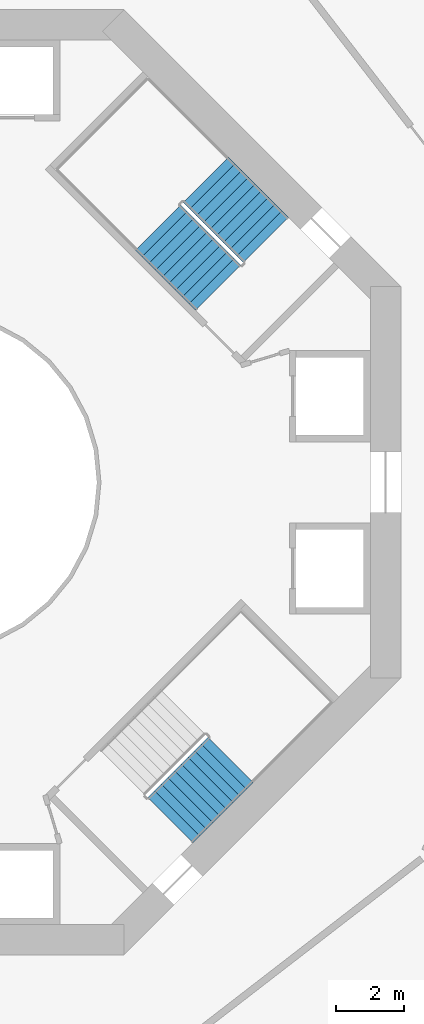
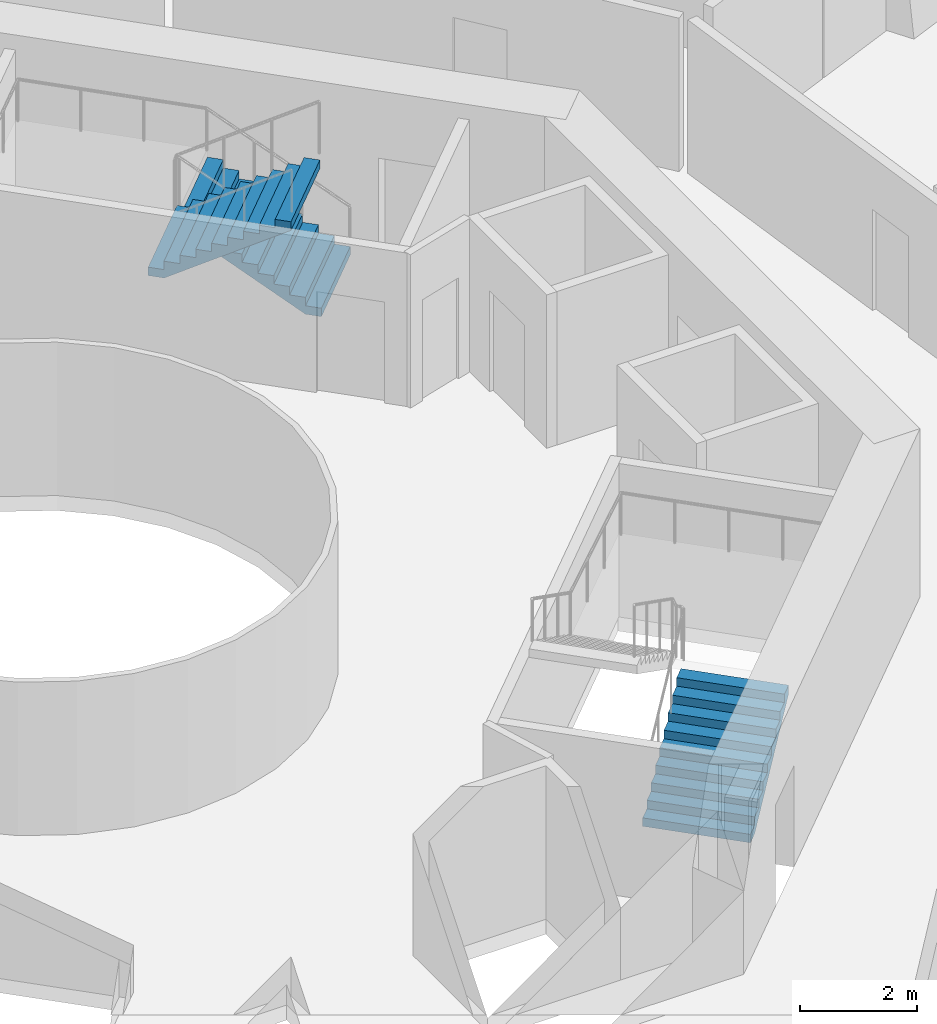
# One storey, part 26 of 27: 3 stair flights, 2 elements without a shape of their own.
"""IFC4 building model written with IfcOpenShell, lengths in metres."""

from ifc_helpers import new_model, si_unit, direction, frame, origin, place, context, subcontext, project, spatial, triangles, material, type_object, element, aggregate, save


model = new_model("IFC4")

# Units and contexts
model_context = context("Model", 3, precision=1e-05, world=origin(), true_north=direction((0.0, 1.0)))
body_context = subcontext(model_context, "Body", "Model", "MODEL_VIEW")
ifc_project = project(units=[si_unit("LENGTHUNIT", "METRE"), si_unit("AREAUNIT", "SQUARE_METRE"), si_unit("VOLUMEUNIT", "CUBIC_METRE"), si_unit("PLANEANGLEUNIT", "RADIAN"), si_unit("MASSUNIT", "GRAM", prefix="KILO")], contexts=[model_context])

# Site, building, storey
site_placement = place(None, origin())
site = spatial("IfcSite", under=ifc_project, at=site_placement, CompositionType="ELEMENT")
building_placement = place(site_placement, origin())
building = spatial("IfcBuilding", under=site, at=building_placement, Name="Verdalira Terraces Hotel", CompositionType="ELEMENT")
storey_placement = place(building_placement, frame((0.0, 0.0, 64.5)))
storey = spatial("IfcBuildingStorey", under=building, at=storey_placement, Name="L14", CompositionType="ELEMENT", Elevation=64.5)

# Stair, stair flights
ifc_material_1 = material(Name="Concrete C40", Category="concrete")
stair_type = type_object("IfcStairType", Name="Core stair 20 risers 1900 mm wide", PredefinedType="HALF_TURN_STAIR", material=ifc_material_1)
stair_1_placement = place(storey_placement, origin())
stair_1 = element("IfcStair", 1, at=stair_1_placement, inside=storey, type_object=stair_type, Name="L14 Exit stair ST1", PredefinedType="HALF_TURN_STAIR")
ifc_material_2 = material(Name="Concrete C40", Category="concrete")
stair_flight_type = type_object("IfcStairFlightType", Name="Core stair flight 20 risers 1900 mm wide", PredefinedType="STRAIGHT", material=ifc_material_2)
stair_flight_1_placement = place(storey_placement, frame((10.005615, 7.177246, 0.0), z_axis=(0.0, 0.0, 1.0), x_axis=(-0.707106781, 0.707106781, 0.0)))
stair_flight_1 = element("IfcStairFlight", 2, at=stair_flight_1_placement, type_object=stair_flight_type, Name="ST1 flight 1", NumberOfRisers=10, NumberOfTreads=9, PredefinedType="STRAIGHT", RiserHeight=0.175, TreadLength=0.28, context=body_context, shape_type="Tessellation", body=[
    triangles([(0.0, 0.949951, 0.0), (0.282715, 0.949951, 0.0), (2.52002, 0.949951, 1.398193), (0.0, -0.949951, 0.0), (0.282715, -0.949951, 0.0), (2.52002, -0.949951, 1.398193), (2.52002, 0.949951, 1.574951), (2.23999, 0.949951, 1.574951), (2.52002, -0.949951, 1.574951), (2.23999, -0.949951, 1.574951), (2.23999, 0.949951, 1.399902), (2.23999, -0.949951, 1.399902), (1.959961, 0.949951, 1.399902), (1.959961, -0.949951, 1.399902), (1.959961, 0.949951, 1.225098), (1.959961, -0.949951, 1.225098), (1.679932, 0.949951, 1.225098), (1.679932, 0.949951, 1.050049), (1.679932, -0.949951, 1.225098), (1.679932, -0.949951, 1.050049), (1.399902, 0.949951, 1.050049), (1.399902, 0.949951, 0.875), (1.399902, -0.949951, 1.050049), (1.399902, -0.949951, 0.875), (1.120117, 0.949951, 0.875), (1.120117, 0.949951, 0.699951), (1.120117, -0.949951, 0.875), (1.120117, -0.949951, 0.699951), (0.840088, 0.949951, 0.699951), (0.840088, 0.949951, 0.524902), (0.840088, -0.949951, 0.699951), (0.840088, -0.949951, 0.524902), (0.560059, 0.949951, 0.524902), (0.560059, 0.949951, 0.350098), (0.560059, -0.949951, 0.524902), (0.560059, -0.949951, 0.350098), (0.280029, 0.949951, 0.350098), (0.280029, 0.949951, 0.175049), (0.280029, -0.949951, 0.350098), (0.280029, -0.949951, 0.175049), (0.0, 0.949951, 0.175049), (0.0, -0.949951, 0.175049), (0.0, -0.890579, 0.0), (0.0, -0.890579, 0.175049), (0.0, -0.831207, 0.0), (0.0, -0.831207, 0.175049), (0.0, -0.771835, 0.0), (0.0, -0.771835, 0.175049), (0.0, -0.712463, 0.0), (0.0, -0.712463, 0.175049), (0.0, -0.653091, 0.0), (0.0, -0.653091, 0.175049), (0.0, -0.593719, 0.0), (0.0, -0.593719, 0.175049), (0.0, -0.534348, 0.0), (0.0, -0.534348, 0.175049), (0.0, -0.474976, 0.0), (0.0, -0.474976, 0.175049), (0.0, -0.415604, 0.0), (0.0, -0.415604, 0.175049), (0.0, -0.356232, 0.0), (0.0, -0.356232, 0.175049), (0.0, -0.29686, 0.0), (0.0, -0.29686, 0.175049), (0.0, -0.237488, 0.0), (0.0, -0.237488, 0.175049), (0.0, -0.178116, 0.0), (0.0, -0.178116, 0.175049), (0.0, -0.118744, 0.0), (0.0, -0.118744, 0.175049), (0.0, -0.059372, 0.0), (0.0, -0.059372, 0.175049), (0.0, 0.0, 0.0), (0.0, 0.0, 0.175049), (0.0, 0.059372, 0.0), (0.0, 0.059372, 0.175049), (0.0, 0.118744, 0.0), (0.0, 0.118744, 0.175049), (0.0, 0.178116, 0.0), (0.0, 0.178116, 0.175049), (0.0, 0.237488, 0.0), (0.0, 0.237488, 0.175049), (0.0, 0.29686, 0.0), (0.0, 0.29686, 0.175049), (0.0, 0.356232, 0.0), (0.0, 0.356232, 0.175049), (0.0, 0.415604, 0.0), (0.0, 0.415604, 0.175049), (0.0, 0.474976, 0.0), (0.0, 0.474976, 0.175049), (0.0, 0.534348, 0.0), (0.0, 0.534348, 0.175049), (0.0, 0.593719, 0.0), (0.0, 0.593719, 0.175049), (0.0, 0.653091, 0.0), (0.0, 0.653091, 0.175049), (0.0, 0.712463, 0.0), (0.0, 0.712463, 0.175049), (0.0, 0.771835, 0.0), (0.0, 0.771835, 0.175049), (0.0, 0.831207, 0.0), (0.0, 0.831207, 0.175049), (0.0, 0.890579, 0.0), (0.0, 0.890579, 0.175049), (2.52002, -0.890579, 1.574951), (2.52002, -0.831207, 1.574951), (2.52002, -0.771835, 1.574951), (2.52002, -0.712463, 1.574951), (2.52002, -0.653091, 1.574951), (2.52002, -0.593719, 1.574951), (2.52002, -0.534348, 1.574951), (2.52002, -0.474976, 1.574951), (2.52002, -0.415604, 1.574951), (2.52002, -0.356232, 1.574951), (2.52002, -0.29686, 1.574951), (2.52002, -0.237488, 1.574951), (2.52002, -0.178116, 1.574951), (2.52002, -0.118744, 1.574951), (2.52002, -0.059372, 1.574951), (2.52002, 0.0, 1.574951), (2.52002, 0.059372, 1.574951), (2.52002, 0.118744, 1.574951), (2.52002, 0.178116, 1.574951), (2.52002, 0.237488, 1.574951), (2.52002, 0.29686, 1.574951), (2.52002, 0.356232, 1.574951), (2.52002, 0.415604, 1.574951), (2.52002, 0.474976, 1.574951), (2.52002, 0.534348, 1.574951), (2.52002, 0.593719, 1.574951), (2.52002, 0.653091, 1.574951), (2.52002, 0.712463, 1.574951), (2.52002, 0.771835, 1.574951), (2.52002, 0.831207, 1.574951), (2.52002, 0.890579, 1.574951), (2.52002, -0.890579, 1.398193), (2.52002, -0.831207, 1.398193), (2.52002, -0.771835, 1.398193), (2.52002, -0.712463, 1.398193), (2.52002, -0.653091, 1.398193), (2.52002, -0.593719, 1.398193), (2.52002, -0.534348, 1.398193), (2.52002, -0.474976, 1.398193), (2.52002, -0.415604, 1.398193), (2.52002, -0.356232, 1.398193), (2.52002, -0.29686, 1.398193), (2.52002, -0.237488, 1.398193), (2.52002, -0.178116, 1.398193), (2.52002, -0.118744, 1.398193), (2.52002, -0.059372, 1.398193), (2.52002, 0.0, 1.398193), (2.52002, 0.059372, 1.398193), (2.52002, 0.118744, 1.398193), (2.52002, 0.178116, 1.398193), (2.52002, 0.237488, 1.398193), (2.52002, 0.29686, 1.398193), (2.52002, 0.356232, 1.398193), (2.52002, 0.415604, 1.398193), (2.52002, 0.474976, 1.398193), (2.52002, 0.534348, 1.398193), (2.52002, 0.593719, 1.398193), (2.52002, 0.653091, 1.398193), (2.52002, 0.712463, 1.398193), (2.52002, 0.771835, 1.398193), (2.52002, 0.831207, 1.398193), (2.52002, 0.890579, 1.398193)], [[1, 3, 2], [4, 5, 6], [3, 8, 7], [6, 9, 10], [3, 11, 8], [6, 10, 12], [3, 13, 11], [6, 12, 14], [3, 15, 13], [6, 14, 16], [15, 18, 17], [16, 19, 20], [3, 18, 15], [6, 16, 20], [18, 22, 21], [20, 23, 24], [3, 22, 18], [6, 20, 24], [22, 26, 25], [24, 27, 28], [3, 26, 22], [6, 24, 28], [26, 30, 29], [28, 31, 32], [3, 30, 26], [6, 28, 32], [1, 30, 3], [4, 6, 32], [30, 34, 33], [32, 35, 36], [34, 38, 37], [36, 39, 40], [30, 38, 34], [32, 36, 40], [1, 38, 30], [4, 32, 40], [38, 1, 41], [40, 42, 4], [4, 44, 43], [4, 42, 44], [43, 46, 45], [43, 44, 46], [45, 48, 47], [45, 46, 48], [47, 50, 49], [47, 48, 50], [49, 52, 51], [49, 50, 52], [51, 54, 53], [51, 52, 54], [53, 56, 55], [53, 54, 56], [55, 58, 57], [55, 56, 58], [57, 60, 59], [57, 58, 60], [59, 62, 61], [59, 60, 62], [61, 64, 63], [61, 62, 64], [63, 66, 65], [63, 64, 66], [65, 68, 67], [65, 66, 68], [67, 70, 69], [67, 68, 70], [69, 72, 71], [69, 70, 72], [71, 74, 73], [71, 72, 74], [73, 76, 75], [73, 74, 76], [75, 78, 77], [75, 76, 78], [77, 80, 79], [77, 78, 80], [79, 82, 81], [79, 80, 82], [81, 84, 83], [81, 82, 84], [83, 86, 85], [83, 84, 86], [85, 88, 87], [85, 86, 88], [87, 90, 89], [87, 88, 90], [89, 92, 91], [89, 90, 92], [91, 94, 93], [91, 92, 94], [93, 96, 95], [93, 94, 96], [95, 98, 97], [95, 96, 98], [97, 100, 99], [97, 98, 100], [99, 102, 101], [99, 100, 102], [101, 104, 103], [101, 102, 104], [103, 41, 1], [103, 104, 41], [42, 40, 44], [44, 40, 46], [46, 40, 48], [48, 40, 50], [50, 40, 52], [52, 40, 54], [54, 40, 56], [56, 40, 58], [58, 40, 60], [60, 40, 62], [62, 40, 64], [64, 40, 66], [66, 40, 68], [68, 40, 70], [70, 40, 72], [72, 40, 74], [74, 40, 76], [76, 40, 78], [78, 40, 80], [80, 40, 82], [82, 40, 84], [84, 40, 86], [86, 40, 88], [88, 40, 90], [90, 40, 92], [92, 40, 94], [94, 40, 96], [96, 40, 98], [98, 40, 100], [100, 40, 102], [102, 40, 104], [104, 40, 41], [41, 40, 38], [40, 37, 38], [40, 39, 37], [39, 34, 37], [39, 36, 34], [36, 33, 34], [36, 35, 33], [35, 30, 33], [35, 32, 30], [32, 29, 30], [32, 31, 29], [31, 26, 29], [31, 28, 26], [28, 25, 26], [28, 27, 25], [27, 22, 25], [27, 24, 22], [24, 21, 22], [24, 23, 21], [23, 18, 21], [23, 20, 18], [20, 17, 18], [20, 19, 17], [19, 15, 17], [19, 16, 15], [16, 13, 15], [16, 14, 13], [14, 11, 13], [14, 12, 11], [12, 8, 11], [12, 10, 8], [9, 105, 10], [105, 106, 10], [106, 107, 10], [107, 108, 10], [108, 109, 10], [109, 110, 10], [110, 111, 10], [111, 112, 10], [112, 113, 10], [113, 114, 10], [114, 115, 10], [115, 116, 10], [116, 117, 10], [117, 118, 10], [118, 119, 10], [119, 120, 10], [120, 121, 10], [121, 122, 10], [122, 123, 10], [123, 124, 10], [124, 125, 10], [125, 126, 10], [126, 127, 10], [127, 128, 10], [128, 129, 10], [129, 130, 10], [130, 131, 10], [131, 132, 10], [132, 133, 10], [133, 134, 10], [134, 135, 10], [135, 7, 10], [7, 8, 10], [9, 136, 105], [9, 6, 136], [105, 137, 106], [105, 136, 137], [106, 138, 107], [106, 137, 138], [107, 139, 108], [107, 138, 139], [108, 140, 109], [108, 139, 140], [109, 141, 110], [109, 140, 141], [110, 142, 111], [110, 141, 142], [111, 143, 112], [111, 142, 143], [112, 144, 113], [112, 143, 144], [113, 145, 114], [113, 144, 145], [114, 146, 115], [114, 145, 146], [115, 147, 116], [115, 146, 147], [116, 148, 117], [116, 147, 148], [117, 149, 118], [117, 148, 149], [118, 150, 119], [118, 149, 150], [119, 151, 120], [119, 150, 151], [120, 152, 121], [120, 151, 152], [121, 153, 122], [121, 152, 153], [122, 154, 123], [122, 153, 154], [123, 155, 124], [123, 154, 155], [124, 156, 125], [124, 155, 156], [125, 157, 126], [125, 156, 157], [126, 158, 127], [126, 157, 158], [127, 159, 128], [127, 158, 159], [128, 160, 129], [128, 159, 160], [129, 161, 130], [129, 160, 161], [130, 162, 131], [130, 161, 162], [131, 163, 132], [131, 162, 163], [132, 164, 133], [132, 163, 164], [133, 165, 134], [133, 164, 165], [134, 166, 135], [134, 165, 166], [135, 3, 7], [135, 166, 3], [6, 5, 136], [136, 5, 137], [137, 5, 138], [138, 5, 139], [139, 5, 140], [140, 5, 141], [141, 5, 142], [142, 5, 143], [143, 5, 144], [144, 5, 145], [145, 5, 146], [146, 5, 147], [147, 5, 148], [148, 5, 149], [149, 5, 150], [150, 5, 151], [151, 5, 152], [152, 5, 153], [153, 5, 154], [154, 5, 155], [155, 5, 156], [156, 5, 157], [157, 5, 158], [158, 5, 159], [159, 5, 160], [160, 5, 161], [161, 5, 162], [162, 5, 163], [163, 5, 164], [164, 5, 165], [165, 5, 166], [166, 5, 3], [3, 5, 2], [4, 43, 5], [43, 45, 5], [45, 47, 5], [47, 49, 5], [49, 51, 5], [51, 53, 5], [53, 55, 5], [55, 57, 5], [57, 59, 5], [59, 61, 5], [61, 63, 5], [63, 65, 5], [65, 67, 5], [67, 69, 5], [69, 71, 5], [71, 73, 5], [73, 75, 5], [75, 77, 5], [77, 79, 5], [79, 81, 5], [81, 83, 5], [83, 85, 5], [85, 87, 5], [87, 89, 5], [89, 91, 5], [91, 93, 5], [93, 95, 5], [95, 97, 5], [97, 99, 5], [99, 101, 5], [101, 103, 5], [103, 1, 5], [1, 2, 5]], closed=True),
])
stair_flight_2_placement = place(storey_placement, frame((6.809326, 7.544922, 1.75), z_axis=(0.0, 0.0, 1.0), x_axis=(0.707106781, -0.707106781, 0.0)))
stair_flight_2 = element("IfcStairFlight", 3, at=stair_flight_2_placement, type_object=stair_flight_type, Name="ST1 flight 2", NumberOfRisers=10, NumberOfTreads=9, PredefinedType="STRAIGHT", RiserHeight=0.175, TreadLength=0.28, context=body_context, shape_type="Tessellation", body=[
    triangles([(0.0, 0.949951, 0.0), (0.282715, 0.949951, 0.0), (2.52002, 0.949951, 1.398193), (0.0, -0.949951, 0.0), (0.282715, -0.949951, 0.0), (2.52002, -0.949951, 1.398193), (2.52002, 0.949951, 1.574951), (2.23999, 0.949951, 1.574951), (2.52002, -0.949951, 1.574951), (2.23999, -0.949951, 1.574951), (2.23999, 0.949951, 1.399902), (2.23999, -0.949951, 1.399902), (1.959961, 0.949951, 1.399902), (1.959961, -0.949951, 1.399902), (1.959961, 0.949951, 1.225098), (1.959961, -0.949951, 1.225098), (1.679932, 0.949951, 1.225098), (1.679932, 0.949951, 1.050049), (1.679932, -0.949951, 1.225098), (1.679932, -0.949951, 1.050049), (1.399902, 0.949951, 1.050049), (1.399902, 0.949951, 0.875), (1.399902, -0.949951, 1.050049), (1.399902, -0.949951, 0.875), (1.120117, 0.949951, 0.875), (1.120117, 0.949951, 0.699951), (1.120117, -0.949951, 0.875), (1.120117, -0.949951, 0.699951), (0.840088, 0.949951, 0.699951), (0.840088, 0.949951, 0.524902), (0.840088, -0.949951, 0.699951), (0.840088, -0.949951, 0.524902), (0.560059, 0.949951, 0.524902), (0.560059, 0.949951, 0.350098), (0.560059, -0.949951, 0.524902), (0.560059, -0.949951, 0.350098), (0.280029, 0.949951, 0.350098), (0.280029, 0.949951, 0.175049), (0.280029, -0.949951, 0.350098), (0.280029, -0.949951, 0.175049), (0.0, 0.949951, 0.175049), (0.0, -0.949951, 0.175049), (0.0, -0.890579, 0.0), (0.0, -0.890579, 0.175049), (0.0, -0.831207, 0.0), (0.0, -0.831207, 0.175049), (0.0, -0.771835, 0.0), (0.0, -0.771835, 0.175049), (0.0, -0.712463, 0.0), (0.0, -0.712463, 0.175049), (0.0, -0.653091, 0.0), (0.0, -0.653091, 0.175049), (0.0, -0.593719, 0.0), (0.0, -0.593719, 0.175049), (0.0, -0.534348, 0.0), (0.0, -0.534348, 0.175049), (0.0, -0.474976, 0.0), (0.0, -0.474976, 0.175049), (0.0, -0.415604, 0.0), (0.0, -0.415604, 0.175049), (0.0, -0.356232, 0.0), (0.0, -0.356232, 0.175049), (0.0, -0.29686, 0.0), (0.0, -0.29686, 0.175049), (0.0, -0.237488, 0.0), (0.0, -0.237488, 0.175049), (0.0, -0.178116, 0.0), (0.0, -0.178116, 0.175049), (0.0, -0.118744, 0.0), (0.0, -0.118744, 0.175049), (0.0, -0.059372, 0.0), (0.0, -0.059372, 0.175049), (0.0, 0.0, 0.0), (0.0, 0.0, 0.175049), (0.0, 0.059372, 0.0), (0.0, 0.059372, 0.175049), (0.0, 0.118744, 0.0), (0.0, 0.118744, 0.175049), (0.0, 0.178116, 0.0), (0.0, 0.178116, 0.175049), (0.0, 0.237488, 0.0), (0.0, 0.237488, 0.175049), (0.0, 0.29686, 0.0), (0.0, 0.29686, 0.175049), (0.0, 0.356232, 0.0), (0.0, 0.356232, 0.175049), (0.0, 0.415604, 0.0), (0.0, 0.415604, 0.175049), (0.0, 0.474976, 0.0), (0.0, 0.474976, 0.175049), (0.0, 0.534348, 0.0), (0.0, 0.534348, 0.175049), (0.0, 0.593719, 0.0), (0.0, 0.593719, 0.175049), (0.0, 0.653091, 0.0), (0.0, 0.653091, 0.175049), (0.0, 0.712463, 0.0), (0.0, 0.712463, 0.175049), (0.0, 0.771835, 0.0), (0.0, 0.771835, 0.175049), (0.0, 0.831207, 0.0), (0.0, 0.831207, 0.175049), (0.0, 0.890579, 0.0), (0.0, 0.890579, 0.175049), (2.52002, -0.890579, 1.574951), (2.52002, -0.831207, 1.574951), (2.52002, -0.771835, 1.574951), (2.52002, -0.712463, 1.574951), (2.52002, -0.653091, 1.574951), (2.52002, -0.593719, 1.574951), (2.52002, -0.534348, 1.574951), (2.52002, -0.474976, 1.574951), (2.52002, -0.415604, 1.574951), (2.52002, -0.356232, 1.574951), (2.52002, -0.29686, 1.574951), (2.52002, -0.237488, 1.574951), (2.52002, -0.178116, 1.574951), (2.52002, -0.118744, 1.574951), (2.52002, -0.059372, 1.574951), (2.52002, 0.0, 1.574951), (2.52002, 0.059372, 1.574951), (2.52002, 0.118744, 1.574951), (2.52002, 0.178116, 1.574951), (2.52002, 0.237488, 1.574951), (2.52002, 0.29686, 1.574951), (2.52002, 0.356232, 1.574951), (2.52002, 0.415604, 1.574951), (2.52002, 0.474976, 1.574951), (2.52002, 0.534348, 1.574951), (2.52002, 0.593719, 1.574951), (2.52002, 0.653091, 1.574951), (2.52002, 0.712463, 1.574951), (2.52002, 0.771835, 1.574951), (2.52002, 0.831207, 1.574951), (2.52002, 0.890579, 1.574951), (2.52002, -0.890579, 1.398193), (2.52002, -0.831207, 1.398193), (2.52002, -0.771835, 1.398193), (2.52002, -0.712463, 1.398193), (2.52002, -0.653091, 1.398193), (2.52002, -0.593719, 1.398193), (2.52002, -0.534348, 1.398193), (2.52002, -0.474976, 1.398193), (2.52002, -0.415604, 1.398193), (2.52002, -0.356232, 1.398193), (2.52002, -0.29686, 1.398193), (2.52002, -0.237488, 1.398193), (2.52002, -0.178116, 1.398193), (2.52002, -0.118744, 1.398193), (2.52002, -0.059372, 1.398193), (2.52002, 0.0, 1.398193), (2.52002, 0.059372, 1.398193), (2.52002, 0.118744, 1.398193), (2.52002, 0.178116, 1.398193), (2.52002, 0.237488, 1.398193), (2.52002, 0.29686, 1.398193), (2.52002, 0.356232, 1.398193), (2.52002, 0.415604, 1.398193), (2.52002, 0.474976, 1.398193), (2.52002, 0.534348, 1.398193), (2.52002, 0.593719, 1.398193), (2.52002, 0.653091, 1.398193), (2.52002, 0.712463, 1.398193), (2.52002, 0.771835, 1.398193), (2.52002, 0.831207, 1.398193), (2.52002, 0.890579, 1.398193)], [[1, 3, 2], [4, 5, 6], [3, 8, 7], [6, 9, 10], [3, 11, 8], [6, 10, 12], [3, 13, 11], [6, 12, 14], [3, 15, 13], [6, 14, 16], [15, 18, 17], [16, 19, 20], [3, 18, 15], [6, 16, 20], [18, 22, 21], [20, 23, 24], [3, 22, 18], [6, 20, 24], [22, 26, 25], [24, 27, 28], [3, 26, 22], [6, 24, 28], [26, 30, 29], [28, 31, 32], [3, 30, 26], [6, 28, 32], [1, 30, 3], [4, 6, 32], [30, 34, 33], [32, 35, 36], [34, 38, 37], [36, 39, 40], [30, 38, 34], [32, 36, 40], [1, 38, 30], [4, 32, 40], [38, 1, 41], [40, 42, 4], [4, 44, 43], [4, 42, 44], [43, 46, 45], [43, 44, 46], [45, 48, 47], [45, 46, 48], [47, 50, 49], [47, 48, 50], [49, 52, 51], [49, 50, 52], [51, 54, 53], [51, 52, 54], [53, 56, 55], [53, 54, 56], [55, 58, 57], [55, 56, 58], [57, 60, 59], [57, 58, 60], [59, 62, 61], [59, 60, 62], [61, 64, 63], [61, 62, 64], [63, 66, 65], [63, 64, 66], [65, 68, 67], [65, 66, 68], [67, 70, 69], [67, 68, 70], [69, 72, 71], [69, 70, 72], [71, 74, 73], [71, 72, 74], [73, 76, 75], [73, 74, 76], [75, 78, 77], [75, 76, 78], [77, 80, 79], [77, 78, 80], [79, 82, 81], [79, 80, 82], [81, 84, 83], [81, 82, 84], [83, 86, 85], [83, 84, 86], [85, 88, 87], [85, 86, 88], [87, 90, 89], [87, 88, 90], [89, 92, 91], [89, 90, 92], [91, 94, 93], [91, 92, 94], [93, 96, 95], [93, 94, 96], [95, 98, 97], [95, 96, 98], [97, 100, 99], [97, 98, 100], [99, 102, 101], [99, 100, 102], [101, 104, 103], [101, 102, 104], [103, 41, 1], [103, 104, 41], [42, 40, 44], [44, 40, 46], [46, 40, 48], [48, 40, 50], [50, 40, 52], [52, 40, 54], [54, 40, 56], [56, 40, 58], [58, 40, 60], [60, 40, 62], [62, 40, 64], [64, 40, 66], [66, 40, 68], [68, 40, 70], [70, 40, 72], [72, 40, 74], [74, 40, 76], [76, 40, 78], [78, 40, 80], [80, 40, 82], [82, 40, 84], [84, 40, 86], [86, 40, 88], [88, 40, 90], [90, 40, 92], [92, 40, 94], [94, 40, 96], [96, 40, 98], [98, 40, 100], [100, 40, 102], [102, 40, 104], [104, 40, 41], [41, 40, 38], [40, 37, 38], [40, 39, 37], [39, 34, 37], [39, 36, 34], [36, 33, 34], [36, 35, 33], [35, 30, 33], [35, 32, 30], [32, 29, 30], [32, 31, 29], [31, 26, 29], [31, 28, 26], [28, 25, 26], [28, 27, 25], [27, 22, 25], [27, 24, 22], [24, 21, 22], [24, 23, 21], [23, 18, 21], [23, 20, 18], [20, 17, 18], [20, 19, 17], [19, 15, 17], [19, 16, 15], [16, 13, 15], [16, 14, 13], [14, 11, 13], [14, 12, 11], [12, 8, 11], [12, 10, 8], [9, 105, 10], [105, 106, 10], [106, 107, 10], [107, 108, 10], [108, 109, 10], [109, 110, 10], [110, 111, 10], [111, 112, 10], [112, 113, 10], [113, 114, 10], [114, 115, 10], [115, 116, 10], [116, 117, 10], [117, 118, 10], [118, 119, 10], [119, 120, 10], [120, 121, 10], [121, 122, 10], [122, 123, 10], [123, 124, 10], [124, 125, 10], [125, 126, 10], [126, 127, 10], [127, 128, 10], [128, 129, 10], [129, 130, 10], [130, 131, 10], [131, 132, 10], [132, 133, 10], [133, 134, 10], [134, 135, 10], [135, 7, 10], [7, 8, 10], [9, 136, 105], [9, 6, 136], [105, 137, 106], [105, 136, 137], [106, 138, 107], [106, 137, 138], [107, 139, 108], [107, 138, 139], [108, 140, 109], [108, 139, 140], [109, 141, 110], [109, 140, 141], [110, 142, 111], [110, 141, 142], [111, 143, 112], [111, 142, 143], [112, 144, 113], [112, 143, 144], [113, 145, 114], [113, 144, 145], [114, 146, 115], [114, 145, 146], [115, 147, 116], [115, 146, 147], [116, 148, 117], [116, 147, 148], [117, 149, 118], [117, 148, 149], [118, 150, 119], [118, 149, 150], [119, 151, 120], [119, 150, 151], [120, 152, 121], [120, 151, 152], [121, 153, 122], [121, 152, 153], [122, 154, 123], [122, 153, 154], [123, 155, 124], [123, 154, 155], [124, 156, 125], [124, 155, 156], [125, 157, 126], [125, 156, 157], [126, 158, 127], [126, 157, 158], [127, 159, 128], [127, 158, 159], [128, 160, 129], [128, 159, 160], [129, 161, 130], [129, 160, 161], [130, 162, 131], [130, 161, 162], [131, 163, 132], [131, 162, 163], [132, 164, 133], [132, 163, 164], [133, 165, 134], [133, 164, 165], [134, 166, 135], [134, 165, 166], [135, 3, 7], [135, 166, 3], [6, 5, 136], [136, 5, 137], [137, 5, 138], [138, 5, 139], [139, 5, 140], [140, 5, 141], [141, 5, 142], [142, 5, 143], [143, 5, 144], [144, 5, 145], [145, 5, 146], [146, 5, 147], [147, 5, 148], [148, 5, 149], [149, 5, 150], [150, 5, 151], [151, 5, 152], [152, 5, 153], [153, 5, 154], [154, 5, 155], [155, 5, 156], [156, 5, 157], [157, 5, 158], [158, 5, 159], [159, 5, 160], [160, 5, 161], [161, 5, 162], [162, 5, 163], [163, 5, 164], [164, 5, 165], [165, 5, 166], [166, 5, 3], [3, 5, 2], [4, 43, 5], [43, 45, 5], [45, 47, 5], [47, 49, 5], [49, 51, 5], [51, 53, 5], [53, 55, 5], [55, 57, 5], [57, 59, 5], [59, 61, 5], [61, 63, 5], [63, 65, 5], [65, 67, 5], [67, 69, 5], [69, 71, 5], [71, 73, 5], [73, 75, 5], [75, 77, 5], [77, 79, 5], [79, 81, 5], [81, 83, 5], [83, 85, 5], [85, 87, 5], [87, 89, 5], [89, 91, 5], [91, 93, 5], [93, 95, 5], [95, 97, 5], [97, 99, 5], [99, 101, 5], [101, 103, 5], [103, 1, 5], [1, 2, 5]], closed=True),
])
aggregate(stair_1, [stair_flight_1, stair_flight_2])

# Stair, stair flight
stair_2_placement = place(storey_placement, origin())
stair_2 = element("IfcStair", 4, at=stair_2_placement, inside=storey, type_object=stair_type, Name="L14 Exit stair ST3", PredefinedType="HALF_TURN_STAIR")
stair_flight_3_placement = place(storey_placement, frame((7.177246, -10.005615, 0.0), z_axis=(0.0, 0.0, 1.0), x_axis=(0.707106781, 0.707106781, 0.0)))
stair_flight_3 = element("IfcStairFlight", 5, at=stair_flight_3_placement, type_object=stair_flight_type, Name="ST3 flight 1", NumberOfRisers=10, NumberOfTreads=9, PredefinedType="STRAIGHT", RiserHeight=0.175, TreadLength=0.28, context=body_context, shape_type="Tessellation", body=[
    triangles([(0.0, 0.949951, 0.0), (0.282715, 0.949951, 0.0), (2.52002, 0.949951, 1.398193), (0.0, -0.949951, 0.0), (0.282715, -0.949951, 0.0), (2.52002, -0.949951, 1.398193), (2.52002, 0.949951, 1.574951), (2.23999, 0.949951, 1.574951), (2.52002, -0.949951, 1.574951), (2.23999, -0.949951, 1.574951), (2.23999, 0.949951, 1.399902), (2.23999, -0.949951, 1.399902), (1.959961, 0.949951, 1.399902), (1.959961, -0.949951, 1.399902), (1.959961, 0.949951, 1.225098), (1.959961, -0.949951, 1.225098), (1.679932, 0.949951, 1.225098), (1.679932, 0.949951, 1.050049), (1.679932, -0.949951, 1.225098), (1.679932, -0.949951, 1.050049), (1.399902, 0.949951, 1.050049), (1.399902, 0.949951, 0.875), (1.399902, -0.949951, 1.050049), (1.399902, -0.949951, 0.875), (1.120117, 0.949951, 0.875), (1.120117, 0.949951, 0.699951), (1.120117, -0.949951, 0.875), (1.120117, -0.949951, 0.699951), (0.840088, 0.949951, 0.699951), (0.840088, 0.949951, 0.524902), (0.840088, -0.949951, 0.699951), (0.840088, -0.949951, 0.524902), (0.560059, 0.949951, 0.524902), (0.560059, 0.949951, 0.350098), (0.560059, -0.949951, 0.524902), (0.560059, -0.949951, 0.350098), (0.280029, 0.949951, 0.350098), (0.280029, 0.949951, 0.175049), (0.280029, -0.949951, 0.350098), (0.280029, -0.949951, 0.175049), (0.0, 0.949951, 0.175049), (0.0, -0.949951, 0.175049), (0.0, -0.890579, 0.0), (0.0, -0.890579, 0.175049), (0.0, -0.831207, 0.0), (0.0, -0.831207, 0.175049), (0.0, -0.771835, 0.0), (0.0, -0.771835, 0.175049), (0.0, -0.712463, 0.0), (0.0, -0.712463, 0.175049), (0.0, -0.653091, 0.0), (0.0, -0.653091, 0.175049), (0.0, -0.593719, 0.0), (0.0, -0.593719, 0.175049), (0.0, -0.534348, 0.0), (0.0, -0.534348, 0.175049), (0.0, -0.474976, 0.0), (0.0, -0.474976, 0.175049), (0.0, -0.415604, 0.0), (0.0, -0.415604, 0.175049), (0.0, -0.356232, 0.0), (0.0, -0.356232, 0.175049), (0.0, -0.29686, 0.0), (0.0, -0.29686, 0.175049), (0.0, -0.237488, 0.0), (0.0, -0.237488, 0.175049), (0.0, -0.178116, 0.0), (0.0, -0.178116, 0.175049), (0.0, -0.118744, 0.0), (0.0, -0.118744, 0.175049), (0.0, -0.059372, 0.0), (0.0, -0.059372, 0.175049), (0.0, 0.0, 0.0), (0.0, 0.0, 0.175049), (0.0, 0.059372, 0.0), (0.0, 0.059372, 0.175049), (0.0, 0.118744, 0.0), (0.0, 0.118744, 0.175049), (0.0, 0.178116, 0.0), (0.0, 0.178116, 0.175049), (0.0, 0.237488, 0.0), (0.0, 0.237488, 0.175049), (0.0, 0.29686, 0.0), (0.0, 0.29686, 0.175049), (0.0, 0.356232, 0.0), (0.0, 0.356232, 0.175049), (0.0, 0.415604, 0.0), (0.0, 0.415604, 0.175049), (0.0, 0.474976, 0.0), (0.0, 0.474976, 0.175049), (0.0, 0.534348, 0.0), (0.0, 0.534348, 0.175049), (0.0, 0.593719, 0.0), (0.0, 0.593719, 0.175049), (0.0, 0.653091, 0.0), (0.0, 0.653091, 0.175049), (0.0, 0.712463, 0.0), (0.0, 0.712463, 0.175049), (0.0, 0.771835, 0.0), (0.0, 0.771835, 0.175049), (0.0, 0.831207, 0.0), (0.0, 0.831207, 0.175049), (0.0, 0.890579, 0.0), (0.0, 0.890579, 0.175049), (2.52002, -0.890579, 1.574951), (2.52002, -0.831207, 1.574951), (2.52002, -0.771835, 1.574951), (2.52002, -0.712463, 1.574951), (2.52002, -0.653091, 1.574951), (2.52002, -0.593719, 1.574951), (2.52002, -0.534348, 1.574951), (2.52002, -0.474976, 1.574951), (2.52002, -0.415604, 1.574951), (2.52002, -0.356232, 1.574951), (2.52002, -0.29686, 1.574951), (2.52002, -0.237488, 1.574951), (2.52002, -0.178116, 1.574951), (2.52002, -0.118744, 1.574951), (2.52002, -0.059372, 1.574951), (2.52002, 0.0, 1.574951), (2.52002, 0.059372, 1.574951), (2.52002, 0.118744, 1.574951), (2.52002, 0.178116, 1.574951), (2.52002, 0.237488, 1.574951), (2.52002, 0.29686, 1.574951), (2.52002, 0.356232, 1.574951), (2.52002, 0.415604, 1.574951), (2.52002, 0.474976, 1.574951), (2.52002, 0.534348, 1.574951), (2.52002, 0.593719, 1.574951), (2.52002, 0.653091, 1.574951), (2.52002, 0.712463, 1.574951), (2.52002, 0.771835, 1.574951), (2.52002, 0.831207, 1.574951), (2.52002, 0.890579, 1.574951), (2.52002, -0.890579, 1.398193), (2.52002, -0.831207, 1.398193), (2.52002, -0.771835, 1.398193), (2.52002, -0.712463, 1.398193), (2.52002, -0.653091, 1.398193), (2.52002, -0.593719, 1.398193), (2.52002, -0.534348, 1.398193), (2.52002, -0.474976, 1.398193), (2.52002, -0.415604, 1.398193), (2.52002, -0.356232, 1.398193), (2.52002, -0.29686, 1.398193), (2.52002, -0.237488, 1.398193), (2.52002, -0.178116, 1.398193), (2.52002, -0.118744, 1.398193), (2.52002, -0.059372, 1.398193), (2.52002, 0.0, 1.398193), (2.52002, 0.059372, 1.398193), (2.52002, 0.118744, 1.398193), (2.52002, 0.178116, 1.398193), (2.52002, 0.237488, 1.398193), (2.52002, 0.29686, 1.398193), (2.52002, 0.356232, 1.398193), (2.52002, 0.415604, 1.398193), (2.52002, 0.474976, 1.398193), (2.52002, 0.534348, 1.398193), (2.52002, 0.593719, 1.398193), (2.52002, 0.653091, 1.398193), (2.52002, 0.712463, 1.398193), (2.52002, 0.771835, 1.398193), (2.52002, 0.831207, 1.398193), (2.52002, 0.890579, 1.398193)], [[1, 3, 2], [4, 5, 6], [3, 8, 7], [6, 9, 10], [3, 11, 8], [6, 10, 12], [3, 13, 11], [6, 12, 14], [3, 15, 13], [6, 14, 16], [15, 18, 17], [16, 19, 20], [3, 18, 15], [6, 16, 20], [18, 22, 21], [20, 23, 24], [3, 22, 18], [6, 20, 24], [22, 26, 25], [24, 27, 28], [3, 26, 22], [6, 24, 28], [26, 30, 29], [28, 31, 32], [3, 30, 26], [6, 28, 32], [1, 30, 3], [4, 6, 32], [30, 34, 33], [32, 35, 36], [34, 38, 37], [36, 39, 40], [30, 38, 34], [32, 36, 40], [1, 38, 30], [4, 32, 40], [38, 1, 41], [40, 42, 4], [4, 44, 43], [4, 42, 44], [43, 46, 45], [43, 44, 46], [45, 48, 47], [45, 46, 48], [47, 50, 49], [47, 48, 50], [49, 52, 51], [49, 50, 52], [51, 54, 53], [51, 52, 54], [53, 56, 55], [53, 54, 56], [55, 58, 57], [55, 56, 58], [57, 60, 59], [57, 58, 60], [59, 62, 61], [59, 60, 62], [61, 64, 63], [61, 62, 64], [63, 66, 65], [63, 64, 66], [65, 68, 67], [65, 66, 68], [67, 70, 69], [67, 68, 70], [69, 72, 71], [69, 70, 72], [71, 74, 73], [71, 72, 74], [73, 76, 75], [73, 74, 76], [75, 78, 77], [75, 76, 78], [77, 80, 79], [77, 78, 80], [79, 82, 81], [79, 80, 82], [81, 84, 83], [81, 82, 84], [83, 86, 85], [83, 84, 86], [85, 88, 87], [85, 86, 88], [87, 90, 89], [87, 88, 90], [89, 92, 91], [89, 90, 92], [91, 94, 93], [91, 92, 94], [93, 96, 95], [93, 94, 96], [95, 98, 97], [95, 96, 98], [97, 100, 99], [97, 98, 100], [99, 102, 101], [99, 100, 102], [101, 104, 103], [101, 102, 104], [103, 41, 1], [103, 104, 41], [42, 40, 44], [44, 40, 46], [46, 40, 48], [48, 40, 50], [50, 40, 52], [52, 40, 54], [54, 40, 56], [56, 40, 58], [58, 40, 60], [60, 40, 62], [62, 40, 64], [64, 40, 66], [66, 40, 68], [68, 40, 70], [70, 40, 72], [72, 40, 74], [74, 40, 76], [76, 40, 78], [78, 40, 80], [80, 40, 82], [82, 40, 84], [84, 40, 86], [86, 40, 88], [88, 40, 90], [90, 40, 92], [92, 40, 94], [94, 40, 96], [96, 40, 98], [98, 40, 100], [100, 40, 102], [102, 40, 104], [104, 40, 41], [41, 40, 38], [40, 37, 38], [40, 39, 37], [39, 34, 37], [39, 36, 34], [36, 33, 34], [36, 35, 33], [35, 30, 33], [35, 32, 30], [32, 29, 30], [32, 31, 29], [31, 26, 29], [31, 28, 26], [28, 25, 26], [28, 27, 25], [27, 22, 25], [27, 24, 22], [24, 21, 22], [24, 23, 21], [23, 18, 21], [23, 20, 18], [20, 17, 18], [20, 19, 17], [19, 15, 17], [19, 16, 15], [16, 13, 15], [16, 14, 13], [14, 11, 13], [14, 12, 11], [12, 8, 11], [12, 10, 8], [9, 105, 10], [105, 106, 10], [106, 107, 10], [107, 108, 10], [108, 109, 10], [109, 110, 10], [110, 111, 10], [111, 112, 10], [112, 113, 10], [113, 114, 10], [114, 115, 10], [115, 116, 10], [116, 117, 10], [117, 118, 10], [118, 119, 10], [119, 120, 10], [120, 121, 10], [121, 122, 10], [122, 123, 10], [123, 124, 10], [124, 125, 10], [125, 126, 10], [126, 127, 10], [127, 128, 10], [128, 129, 10], [129, 130, 10], [130, 131, 10], [131, 132, 10], [132, 133, 10], [133, 134, 10], [134, 135, 10], [135, 7, 10], [7, 8, 10], [9, 136, 105], [9, 6, 136], [105, 137, 106], [105, 136, 137], [106, 138, 107], [106, 137, 138], [107, 139, 108], [107, 138, 139], [108, 140, 109], [108, 139, 140], [109, 141, 110], [109, 140, 141], [110, 142, 111], [110, 141, 142], [111, 143, 112], [111, 142, 143], [112, 144, 113], [112, 143, 144], [113, 145, 114], [113, 144, 145], [114, 146, 115], [114, 145, 146], [115, 147, 116], [115, 146, 147], [116, 148, 117], [116, 147, 148], [117, 149, 118], [117, 148, 149], [118, 150, 119], [118, 149, 150], [119, 151, 120], [119, 150, 151], [120, 152, 121], [120, 151, 152], [121, 153, 122], [121, 152, 153], [122, 154, 123], [122, 153, 154], [123, 155, 124], [123, 154, 155], [124, 156, 125], [124, 155, 156], [125, 157, 126], [125, 156, 157], [126, 158, 127], [126, 157, 158], [127, 159, 128], [127, 158, 159], [128, 160, 129], [128, 159, 160], [129, 161, 130], [129, 160, 161], [130, 162, 131], [130, 161, 162], [131, 163, 132], [131, 162, 163], [132, 164, 133], [132, 163, 164], [133, 165, 134], [133, 164, 165], [134, 166, 135], [134, 165, 166], [135, 3, 7], [135, 166, 3], [6, 5, 136], [136, 5, 137], [137, 5, 138], [138, 5, 139], [139, 5, 140], [140, 5, 141], [141, 5, 142], [142, 5, 143], [143, 5, 144], [144, 5, 145], [145, 5, 146], [146, 5, 147], [147, 5, 148], [148, 5, 149], [149, 5, 150], [150, 5, 151], [151, 5, 152], [152, 5, 153], [153, 5, 154], [154, 5, 155], [155, 5, 156], [156, 5, 157], [157, 5, 158], [158, 5, 159], [159, 5, 160], [160, 5, 161], [161, 5, 162], [162, 5, 163], [163, 5, 164], [164, 5, 165], [165, 5, 166], [166, 5, 3], [3, 5, 2], [4, 43, 5], [43, 45, 5], [45, 47, 5], [47, 49, 5], [49, 51, 5], [51, 53, 5], [53, 55, 5], [55, 57, 5], [57, 59, 5], [59, 61, 5], [61, 63, 5], [63, 65, 5], [65, 67, 5], [67, 69, 5], [69, 71, 5], [71, 73, 5], [73, 75, 5], [75, 77, 5], [77, 79, 5], [79, 81, 5], [81, 83, 5], [83, 85, 5], [85, 87, 5], [87, 89, 5], [89, 91, 5], [91, 93, 5], [93, 95, 5], [95, 97, 5], [97, 99, 5], [99, 101, 5], [101, 103, 5], [103, 1, 5], [1, 2, 5]], closed=True),
])
aggregate(stair_2, [stair_flight_3])

save(model, "model.ifc")
